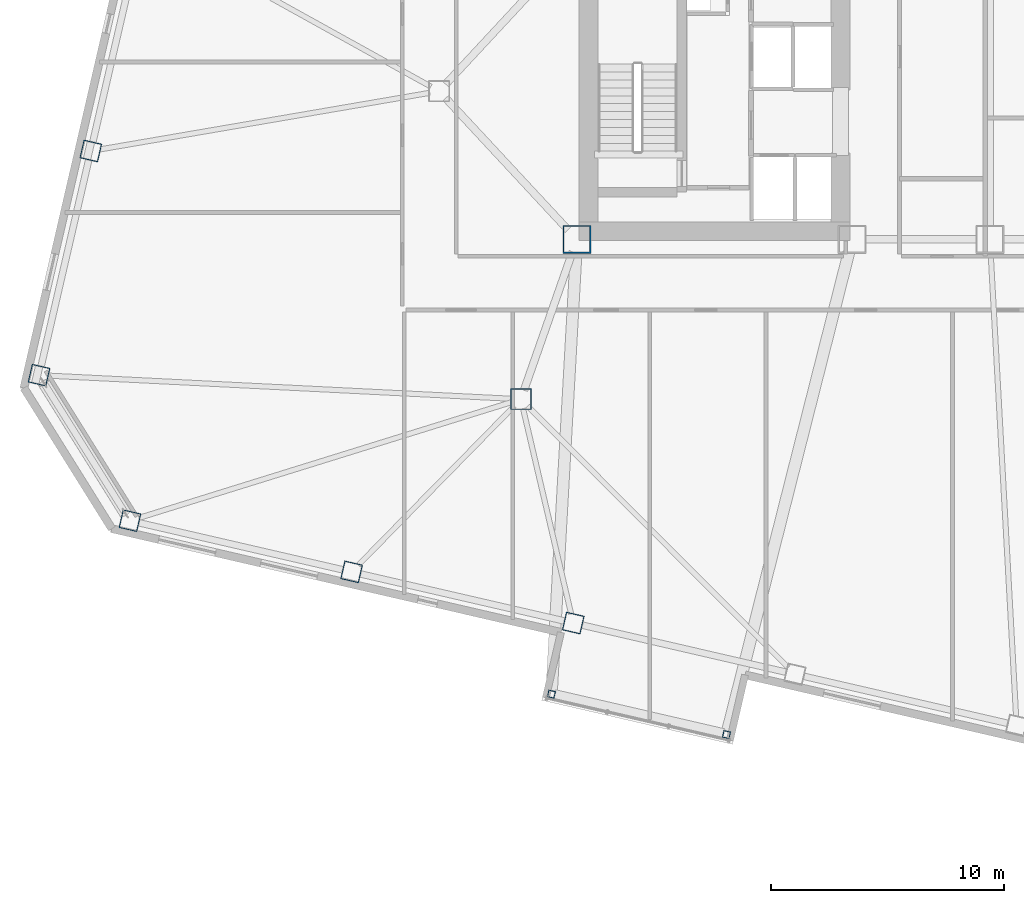
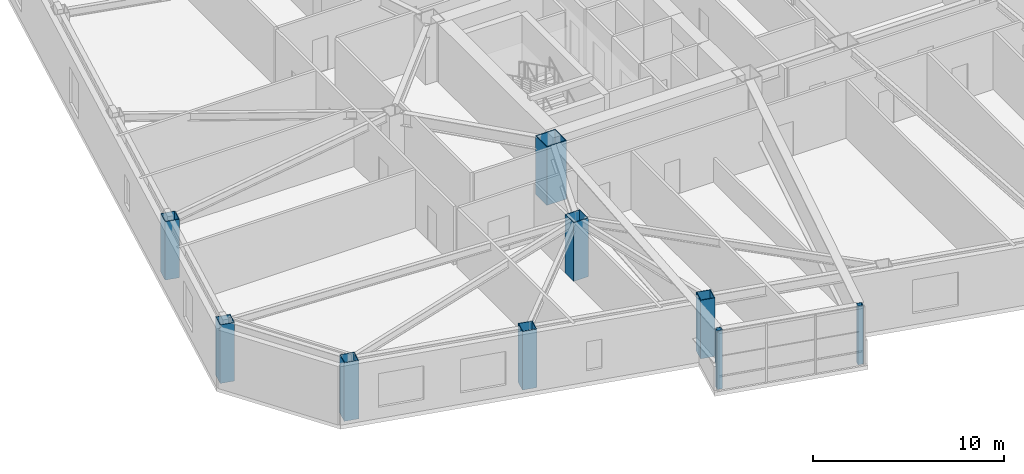
# One storey, part 1 of 21: 9 columns.
"""IFC4 building model written with IfcOpenShell, lengths in metres."""

import ifcopenshell
import ifcopenshell.guid

model = None  # the IFC model being written
_history = None  # IfcOwnerHistory: only IFC2X3 demands one
_inside = {}  # id of a spatial element -> (the spatial element, [elements in it])
_under = {}  # id of a project, library or spatial element -> (it, [spatial elements below it])
_declared = {}  # id of a project -> (the project, [libraries it declares])
_typed = {}  # id of a type object -> (the type object, [elements of that type])
_made_of = {}  # id of a material, layer set ... -> (it, [elements and type objects made of it])


def new_model(schema):
    """Start an empty IFC model of exactly this schema.

    Asked for "IFC4X3", IfcOpenShell would pick the latest addendum, in which some entities
    have other attributes; the version numbers below select the first issue.
    IFC2X3 requires an IfcOwnerHistory on every rooted entity: one is made here for all.
    """
    global model, _history
    if schema == "IFC4X3":
        model = ifcopenshell.file(schema_version=(4, 3, 0, 0))
    else:
        model = ifcopenshell.file(schema=schema)
    _inside.clear()
    _under.clear()
    _declared.clear()
    _typed.clear()
    _made_of.clear()
    _history = None
    if model.schema == "IFC2X3":
        org = make("IfcOrganization", Name="unknown")
        user = make(
            "IfcPersonAndOrganization",
            ThePerson=make("IfcPerson", FamilyName="unknown"),
            TheOrganization=org,
        )
        app = make(
            "IfcApplication",
            ApplicationDeveloper=org,
            Version="unknown",
            ApplicationFullName="unknown",
            ApplicationIdentifier="unknown",
        )
        _history = make(
            "IfcOwnerHistory",
            OwningUser=user,
            OwningApplication=app,
            ChangeAction="ADDED",
            CreationDate=0,
        )
    return model


def make(cls, **values):
    """One entity of the class cls with the attributes given. An attribute that is None is left unset."""
    return model.create_entity(
        cls, **{name: value for name, value in values.items() if value is not None}
    )


def rooted(cls, **values):
    """An entity with a GlobalId (a new one), such as an element, a storey or a relation."""
    return make(cls, GlobalId=ifcopenshell.guid.new(), OwnerHistory=_history, **values)


def si_unit(unit_type, name, prefix=None):
    """IfcSIUnit, for example si_unit("LENGTHUNIT", "METRE", prefix="MILLI")."""
    return make("IfcSIUnit", UnitType=unit_type, Prefix=prefix, Name=name)


def assignment(units):
    """IfcUnitAssignment: the units of a project."""
    return None if units is None else make("IfcUnitAssignment", Units=units)


def point(xyz):
    """IfcCartesianPoint."""
    return None if xyz is None else make("IfcCartesianPoint", Coordinates=xyz)


def direction(xyz):
    """IfcDirection."""
    return None if xyz is None else make("IfcDirection", DirectionRatios=xyz)


def frame(location, z_axis=None, x_axis=None):
    """IfcAxis2Placement3D, a coordinate frame: its origin and axes. An axis left out is left unset."""
    return make(
        "IfcAxis2Placement3D",
        Location=point(location),
        Axis=direction(z_axis),
        RefDirection=direction(x_axis),
    )


def frame_2d(location, x_axis=None):
    """IfcAxis2Placement2D, a coordinate frame in the plane: its origin and x axis."""
    return make(
        "IfcAxis2Placement2D", Location=point(location), RefDirection=direction(x_axis)
    )


def origin():
    """The frame at (0, 0, 0) with its axes left unset."""
    return frame((0.0, 0.0, 0.0))


def origin_2d():
    """The frame at (0, 0) in the plane with its x axis left unset."""
    return frame_2d((0.0, 0.0))


def place(relative_to, where):
    """IfcLocalPlacement: puts the frame where relative to a parent placement (None: the world)."""
    return make(
        "IfcLocalPlacement", PlacementRelTo=relative_to, RelativePlacement=where
    )


def context(
    kind, dimensions, precision=None, world=None, true_north=None, identifier=None
):
    """IfcGeometricRepresentationContext, for example the 3D "Model" context."""
    return make(
        "IfcGeometricRepresentationContext",
        ContextIdentifier=identifier,
        ContextType=kind,
        CoordinateSpaceDimension=dimensions,
        Precision=precision,
        WorldCoordinateSystem=world,
        TrueNorth=true_north,
    )


def subcontext(parent, identifier, kind, view, scale=None):
    """IfcGeometricRepresentationSubContext, for example "Body" below "Model"."""
    return make(
        "IfcGeometricRepresentationSubContext",
        ContextIdentifier=identifier,
        ContextType=kind,
        ParentContext=parent,
        TargetScale=scale,
        TargetView=view,
    )


def project(units=None, contexts=None):
    """IfcProject with its units and contexts."""
    return rooted(
        "IfcProject",
        Name="project",
        RepresentationContexts=contexts,
        UnitsInContext=assignment(units),
    )


def spatial(cls, under=None, at=None, **own):
    """A site, building, storey or space (cls), placed at a placement, below another one or the project."""
    s = rooted(cls, ObjectPlacement=at, **own)
    if under is not None:
        _under.setdefault(under.id(), (under, []))[1].append(s)
    return s


def profile(cls, at=None, kind="AREA", **sizes):
    """A parametric profile (cls). Its sizes go by their IFC names, for example OverallWidth=200.0."""
    return make(cls, ProfileType=kind, Position=at, **sizes)


def hollow_rectangle(**sizes):
    """IfcRectangleHollowProfileDef."""
    return profile("IfcRectangleHollowProfileDef", **sizes)


def extrude(swept, where, along, depth):
    """IfcExtrudedAreaSolid: the profile swept, set in the frame where, extruded along a direction by depth."""
    return make(
        "IfcExtrudedAreaSolid",
        SweptArea=swept,
        Position=where,
        ExtrudedDirection=direction(along),
        Depth=depth,
    )


def shape(context_of_items, identifier, shape_type, items):
    """IfcShapeRepresentation: the items that make up one representation, for example the "Body"."""
    return make(
        "IfcShapeRepresentation",
        ContextOfItems=context_of_items,
        RepresentationIdentifier=identifier,
        RepresentationType=shape_type,
        Items=items,
    )


def material(Name=None, Category=None):
    """IfcMaterial."""
    return make("IfcMaterial", Name=Name, Category=Category)


def material_profile(
    of_material, cross_section, Name=None, Category=None, Priority=None
):
    """IfcMaterialProfile: a cross section and its material."""
    return make(
        "IfcMaterialProfile",
        Name=Name,
        Material=of_material,
        Profile=cross_section,
        Priority=Priority,
        Category=Category,
    )


def profile_set(profiles, Name=None, composite=None):
    """IfcMaterialProfileSet."""
    return make(
        "IfcMaterialProfileSet",
        Name=Name,
        MaterialProfiles=profiles,
        CompositeProfile=composite,
    )


def made_of(thing, what):
    """Note that an element or type object is made of a material, layer set ...; save() writes the relation."""
    if what is not None:
        _made_of.setdefault(what.id(), (what, []))[1].append(thing)
    return thing


def type_object(cls, material=None, **own):
    """A type object (cls), such as IfcWallType, which elements share."""
    return made_of(rooted(cls, **own), material)


def element(
    cls,
    number,
    at=None,
    inside=None,
    cuts=None,
    type_object=None,
    material=None,
    context=None,
    identifier="Body",
    shape_type=None,
    held_by="IfcProductDefinitionShape",
    body=None,
    shapes=None,
    **own,
):
    """One element of the class cls, such as IfcWall. Its Tag is "e" and its number.

    at: its placement. inside: the storey or other place that contains it. cuts: it is an
    opening in that element (IfcRelVoidsElement). A single representation is given by context,
    identifier, shape_type and body (its items); several are given by shapes. held_by: the class
    of the entity that holds the representations. save() writes the other relations.
    """
    e = rooted(cls, Tag="e%d" % number, ObjectPlacement=at, **own)
    if body is not None:
        shapes = [shape(context, identifier, shape_type, body)]
    if shapes is not None:
        e.Representation = make(held_by, Representations=shapes)
    if inside is not None:
        _inside.setdefault(inside.id(), (inside, []))[1].append(e)
    if cuts is not None:
        rooted(
            "IfcRelVoidsElement", RelatingBuildingElement=cuts, RelatedOpeningElement=e
        )
    if type_object is not None:
        _typed.setdefault(type_object.id(), (type_object, []))[1].append(e)
    return made_of(e, material)


def aggregate(whole, parts):
    """IfcRelAggregates: a whole, such as a stair, and the parts it consists of."""
    return rooted("IfcRelAggregates", RelatingObject=whole, RelatedObjects=parts)


def save(model, path):
    """Write the relations noted so far, then the file.

    IfcRelAggregates (storeys below a building ...), IfcRelContainedInSpatialStructure (elements
    in a storey), IfcRelDefinesByType, IfcRelAssociatesMaterial and IfcRelDeclares: one each for
    every whole, place, type object, material and project.
    """
    for whole, parts in _under.values():
        aggregate(whole, parts)
    for where, things in _inside.values():
        rooted(
            "IfcRelContainedInSpatialStructure",
            RelatedElements=things,
            RelatingStructure=where,
        )
    for kind, things in _typed.values():
        rooted("IfcRelDefinesByType", RelatedObjects=things, RelatingType=kind)
    for what, things in _made_of.values():
        rooted("IfcRelAssociatesMaterial", RelatedObjects=things, RelatingMaterial=what)
    for by, libraries in _declared.values():
        rooted("IfcRelDeclares", RelatingContext=by, RelatedDefinitions=libraries)
    model.write(path)


model = new_model("IFC4")

# Units and contexts
model_context = context("Model", 3, precision=1e-05, world=origin(), true_north=direction((0.0, 1.0)))
body_context = subcontext(model_context, "Body", "Model", "MODEL_VIEW")
ifc_project = project(units=[si_unit("LENGTHUNIT", "METRE"), si_unit("AREAUNIT", "SQUARE_METRE"), si_unit("VOLUMEUNIT", "CUBIC_METRE"), si_unit("PLANEANGLEUNIT", "RADIAN"), si_unit("MASSUNIT", "GRAM", prefix="KILO")], contexts=[model_context])

# Site, building, storey
site_placement = place(None, origin())
site = spatial("IfcSite", under=ifc_project, at=site_placement, CompositionType="ELEMENT")
building_placement = place(site_placement, origin())
building = spatial("IfcBuilding", under=site, at=building_placement, Name="Tavrogorsk Clinical Tower", CompositionType="ELEMENT")
storey_placement = place(building_placement, frame((0.0, 0.0, 43.39990234375)))
storey = spatial("IfcBuildingStorey", under=building, at=storey_placement, Name="L08", CompositionType="ELEMENT", Elevation=43.39990234375)

# Columns
ifc_material_1 = material(Name="Structural steel S390", Category="steel")
ifc_material_profile_1 = material_profile(ifc_material_1, hollow_rectangle(XDim=0.300048828125, YDim=0.300048828125, WallThickness=0.01611328125, at=origin_2d()), Name="SHS-300x300x16")
ifc_profile_set_1 = profile_set([ifc_material_profile_1], Name="Structural steel S390")
column_type_1 = type_object("IfcColumnType", Name="DayroomCol_SHS300", PredefinedType="COLUMN", material=ifc_profile_set_1)
for number, where, z_axis, x_axis, name in (
    (1, (-23.1904296875, -25.83935546875, 0.0), (0.0, 0.0, 1.0), (0.974370064785, -0.224951054344, 0.0), "L08 Day-Room Box Column DRB-01-L"),
    (2, (-15.68798828125, -27.5712890625, 0.0), (0.0, 0.0, 1.0), (0.974370064785, -0.224951054344, 0.0), "L08 Day-Room Box Column DRB-01-R"),
):
    element("IfcColumn", number, at=place(storey_placement, frame(where, z_axis=z_axis, x_axis=x_axis)), inside=storey, type_object=column_type_1, Name=name, PredefinedType="COLUMN", context=body_context, shape_type="SweptSolid", body=[
        extrude(hollow_rectangle(XDim=0.300048828125, YDim=0.300048828125, WallThickness=0.01611328125, at=origin_2d()), origin(), (0.0, 0.0, 1.0), 3.739990234375),
    ])
ifc_material_2 = material(Name="Structural steel S440", Category="steel")
ifc_material_profile_2 = material_profile(ifc_material_2, hollow_rectangle(XDim=1.199951171875, YDim=1.199951171875, WallThickness=0.050048828125, at=origin_2d()), Name="BOX-1200x1200x50")
ifc_profile_set_2 = profile_set([ifc_material_profile_2], Name="Structural steel S440")
column_type_2 = type_object("IfcColumnType", Name="MegaCol_BOX1200", PredefinedType="COLUMN", material=ifc_profile_set_2)
column_1_placement = place(storey_placement, frame((-22.10009765625, -6.35009765625, 0.0), z_axis=(0.0, 0.0, 1.0), x_axis=(1.0, 0.0, 0.0)))
element("IfcColumn", 3, at=column_1_placement, inside=storey, type_object=column_type_2, Name="L08 Mega Column MC-W1", PredefinedType="COLUMN", context=body_context, shape_type="SweptSolid", body=[
    extrude(hollow_rectangle(XDim=1.199951171875, YDim=1.199951171875, WallThickness=0.050048828125, at=origin_2d()), origin(), (0.0, 0.0, 1.0), 3.739990234375),
])
ifc_material_3 = material(Name="Structural steel S440", Category="steel")
ifc_material_profile_3 = material_profile(ifc_material_3, hollow_rectangle(XDim=0.89990234375, YDim=0.89990234375, WallThickness=0.0400390625, at=origin_2d()), Name="BOX-900x900x40")
ifc_profile_set_3 = profile_set([ifc_material_profile_3], Name="Structural steel S440")
column_type_3 = type_object("IfcColumnType", Name="MegaCol_BOX900", PredefinedType="COLUMN", material=ifc_profile_set_3)
column_2_placement = place(storey_placement, frame((-24.5, -13.199951171875, 0.0), z_axis=(0.0, 0.0, 1.0), x_axis=(1.0, 0.0, 0.0)))
element("IfcColumn", 4, at=column_2_placement, inside=storey, type_object=column_type_3, Name="L08 Spine Pilotis Column MC-P1", PredefinedType="COLUMN", context=body_context, shape_type="SweptSolid", body=[
    extrude(hollow_rectangle(XDim=0.89990234375, YDim=0.89990234375, WallThickness=0.0400390625, at=origin_2d()), origin(), (0.0, 0.0, 1.0), 3.739990234375),
])
ifc_material_4 = material(Name="Structural steel S440", Category="steel")
ifc_material_profile_4 = material_profile(ifc_material_4, hollow_rectangle(XDim=0.800048828125, YDim=0.800048828125, WallThickness=0.035888671875, at=origin_2d()), Name="BOX-800x800x36")
ifc_profile_set_4 = profile_set([ifc_material_profile_4], Name="Structural steel S440")
column_type_4 = type_object("IfcColumnType", Name="PerimCol_B1_BOX800", PredefinedType="COLUMN", material=ifc_profile_set_4)
for number, where, z_axis, x_axis, name in (
    (5, (-41.251220703125, -18.406005859375, 0.0), (0.0, 0.0, 1.0), (0.974370064785, -0.224951054344, 0.0), "L08 Perimeter Column S1"),
    (6, (-31.75244140625, -20.598876953125, 0.0), (0.0, 0.0, 1.0), (0.974370064785, -0.224951054344, 0.0), "L08 Perimeter Column S2"),
    (7, (-22.25390625, -22.7919921875, 0.0), (0.0, 0.0, 1.0), (0.974370064785, -0.224951054344, 0.0), "L08 Perimeter Column S3"),
    (8, (-42.93017578125, -2.562255859375, 0.0), (0.0, 0.0, 1.0), (0.974370064785, -0.224951054344, 0.0), "L08 Perimeter Column W4"),
    (9, (-45.148193359375, -12.16943359375, 0.0), (0.0, 0.0, 1.0), (0.974370064785, -0.224951054344, 0.0), "L08 Perimeter Column W5"),
):
    element("IfcColumn", number, at=place(storey_placement, frame(where, z_axis=z_axis, x_axis=x_axis)), inside=storey, type_object=column_type_4, Name=name, PredefinedType="COLUMN", context=body_context, shape_type="SweptSolid", body=[
        extrude(hollow_rectangle(XDim=0.800048828125, YDim=0.800048828125, WallThickness=0.035888671875, at=origin_2d()), origin(), (0.0, 0.0, 1.0), 3.739990234375),
    ])

save(model, "model.ifc")
